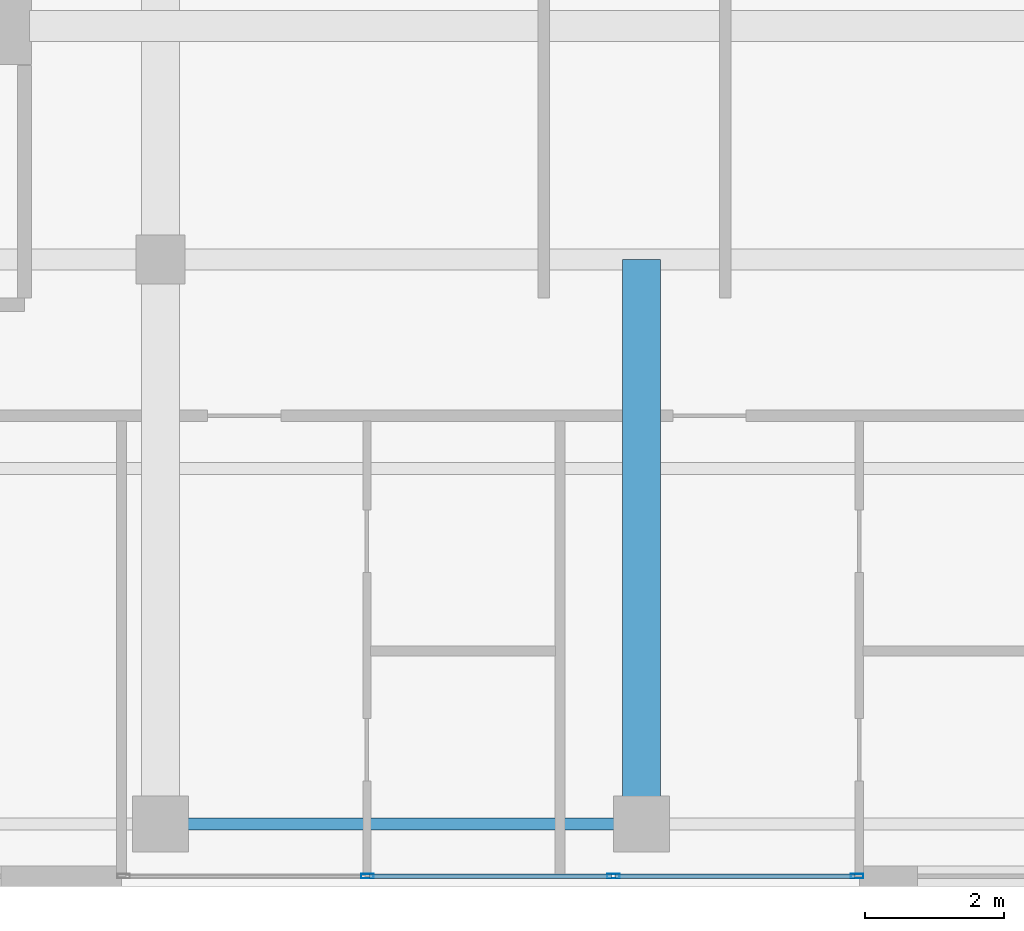
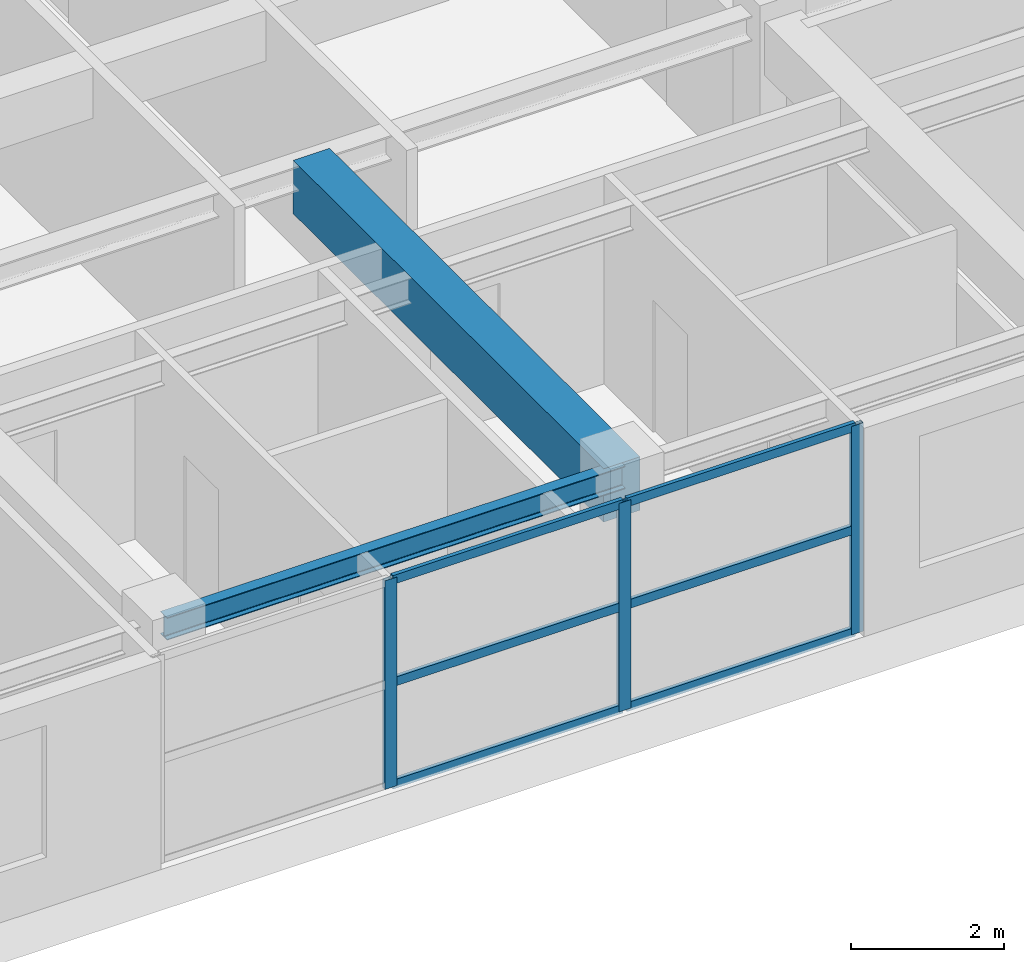
# One storey, part 4 of 21: 9 members, 2 beams, 1 element without a shape of its own.
"""IFC4 building model written with IfcOpenShell, lengths in metres."""

from ifc_helpers import new_model, si_unit, direction, frame, origin, origin_2d, place, context, subcontext, project, spatial, rectangle, hollow_rectangle, i_section, extrude, source, transform, mapped, material, layer, layer_set, material_profile, profile_set, type_object, element, aggregate, save


model = new_model("IFC4")

# Units and contexts
model_context = context("Model", 3, precision=1e-05, world=origin(), true_north=direction((0.0, 1.0)))
body_context = subcontext(model_context, "Body", "Model", "MODEL_VIEW")
ifc_project = project(units=[si_unit("LENGTHUNIT", "METRE"), si_unit("AREAUNIT", "SQUARE_METRE"), si_unit("VOLUMEUNIT", "CUBIC_METRE"), si_unit("PLANEANGLEUNIT", "RADIAN"), si_unit("MASSUNIT", "GRAM", prefix="KILO")], contexts=[model_context])

# Site, building, storey
site_placement = place(None, origin())
site = spatial("IfcSite", under=ifc_project, at=site_placement, CompositionType="ELEMENT")
building_placement = place(site_placement, origin())
building = spatial("IfcBuilding", under=site, at=building_placement, Name="Khoralis Quay Care Tower", CompositionType="ELEMENT")
storey_placement = place(building_placement, frame((0.0, 0.0, 267.300048828125)))
storey = spatial("IfcBuildingStorey", under=building, at=storey_placement, Name="L70", CompositionType="ELEMENT", Elevation=267.300048828125)

# Beams
ifc_material_1 = material(Name="Concrete C50/60", Category="concrete")
ifc_material_profile_1 = material_profile(ifc_material_1, rectangle(XDim=0.550048828125, YDim=0.85009765625, at=origin_2d()), Name="Concrete C50/60")
ifc_profile_set_1 = profile_set([ifc_material_profile_1], Name="Concrete C50/60")
beam_type_1 = type_object("IfcBeamType", Name="BM-RC550X850", PredefinedType="BEAM", material=ifc_profile_set_1)
shared_shape_1 = source(origin(), body_context, "Body", "SweptSolid", [
    extrude(rectangle(XDim=0.550048828125, YDim=0.85009765625, at=origin_2d()), origin(), (0.0, 0.0, 1.0), 8.10009765625),
])
beam_1_placement = place(storey_placement, frame((24.0, 3.89990234375, 2.89501953125), z_axis=(0.0, 1.0, 0.0), x_axis=(-1.0, 0.0, 0.0)))
element("IfcBeam", 1, at=beam_1_placement, inside=storey, type_object=beam_type_1, Name="BM-TGYS-L70-240", PredefinedType="BEAM", context=body_context, shape_type="MappedRepresentation", body=[
    mapped(shared_shape_1, transform((0.0, 0.0, 0.0), scale=1.0)),
])
ifc_material_2 = material(Name="Steel S355", Category="steel")
ifc_material_profile_2 = material_profile(ifc_material_2, i_section(OverallWidth=0.169921875, OverallDepth=0.360107421875, WebThickness=0.008056640625, FlangeThickness=0.0126953125, FilletRadius=0.01806640625, at=origin_2d()), Name="Steel S355")
ifc_profile_set_2 = profile_set([ifc_material_profile_2], Name="Steel S355")
beam_type_2 = type_object("IfcBeamType", Name="BM-IPE360", PredefinedType="SPANDREL", material=ifc_profile_set_2)
shared_shape_2 = source(origin(), body_context, "Body", "SweptSolid", [
    extrude(i_section(OverallWidth=0.169921875, OverallDepth=0.360107421875, WebThickness=0.008056640625, FlangeThickness=0.0126953125, FilletRadius=0.01806640625, at=origin_2d()), origin(), (0.0, 0.0, 1.0), 6.89990234375),
])
beam_2_placement = place(storey_placement, frame((17.10009765625, 3.89990234375, 3.139892578125), z_axis=(1.0, 0.0, 0.0), x_axis=(0.0, 1.0, 0.0)))
element("IfcBeam", 2, at=beam_2_placement, inside=storey, type_object=beam_type_2, Name="BM-TSP-L70-02", PredefinedType="SPANDREL", context=body_context, shape_type="MappedRepresentation", body=[
    mapped(shared_shape_2, transform((0.0, 0.0, 0.0), scale=1.0)),
])

# Curtain wall, members
ifc_material_3 = material(Name="Pale anodised aluminium", Category="aluminium")
ifc_layer = layer(ifc_material_3, 0.159912109375)
ifc_layer_set = layer_set([ifc_layer], Name="Pale anodised aluminium")
curtain_wall_type = type_object("IfcCurtainWallType", Name="CW-SYS-Z3", PredefinedType="NOTDEFINED", material=ifc_layer_set)
curtain_wall_placement = place(storey_placement, origin())
curtain_wall = element("IfcCurtainWall", 3, at=curtain_wall_placement, inside=storey, type_object=curtain_wall_type, Name="L70 Unitised Curtain Wall CW-L70-P1-E0", PredefinedType="NOTDEFINED")
ifc_material_profile_3 = material_profile(ifc_material_3, hollow_rectangle(XDim=0.06494140625, YDim=0.179931640625, WallThickness=0.00390625, at=origin_2d()), Name="Pale anodised aluminium")
ifc_profile_set_3 = profile_set([ifc_material_profile_3], Name="Pale anodised aluminium")
member_type_1 = type_object("IfcMemberType", Name="CW-MUL-180", PredefinedType="MULLION", material=ifc_profile_set_3)
shared_shape_3 = source(origin(), body_context, "Body", "SweptSolid", [
    extrude(hollow_rectangle(XDim=0.06494140625, YDim=0.179931640625, WallThickness=0.00390625, at=origin_2d()), origin(), (0.0, 0.0, 1.0), 3.320068359375),
])
member_1_placement = place(storey_placement, frame((20.068359375, 3.14990234375, 0.0), z_axis=(0.0, 0.0, 1.0), x_axis=(0.0, 1.0, 0.0)))
member_1 = element("IfcMember", 4, at=member_1_placement, type_object=member_type_1, Name="CW3 mullion 2", PredefinedType="MULLION", context=body_context, shape_type="MappedRepresentation", body=[
    mapped(shared_shape_3, transform((0.0, 0.0, 0.0), scale=1.0)),
])
member_2_placement = place(storey_placement, frame((23.5966796875, 3.14990234375, 0.0), z_axis=(0.0, 0.0, 1.0), x_axis=(0.0, 1.0, 0.0)))
member_2 = element("IfcMember", 5, at=member_2_placement, type_object=member_type_1, Name="CW3 mullion 3", PredefinedType="MULLION", context=body_context, shape_type="MappedRepresentation", body=[
    mapped(shared_shape_3, transform((0.0, 0.0, 0.0), scale=1.0)),
])
member_3_placement = place(storey_placement, frame((27.094970703125, 3.14990234375, 0.0), z_axis=(0.0, 0.0, 1.0), x_axis=(0.0, 1.0, 0.0)))
member_3 = element("IfcMember", 6, at=member_3_placement, type_object=member_type_1, Name="CW3 mullion 4", PredefinedType="MULLION", context=body_context, shape_type="MappedRepresentation", body=[
    mapped(shared_shape_3, transform((0.0, 0.0, 0.0), scale=1.0)),
])
ifc_material_profile_4 = material_profile(ifc_material_3, hollow_rectangle(XDim=0.06005859375, YDim=0.139892578125, WallThickness=0.00390625, at=origin_2d()), Name="Pale anodised aluminium")
ifc_profile_set_4 = profile_set([ifc_material_profile_4], Name="Pale anodised aluminium")
member_type_2 = type_object("IfcMemberType", Name="CW-TRN-140", PredefinedType="USERDEFINED", material=ifc_profile_set_4)
shared_shape_4 = source(origin(), body_context, "Body", "SweptSolid", [
    extrude(hollow_rectangle(XDim=0.06005859375, YDim=0.139892578125, WallThickness=0.00390625, at=origin_2d()), origin(), (0.0, 0.0, 1.0), 3.438232421875),
])
member_4_placement = place(storey_placement, frame((23.626708984375, 3.14990234375, 0.030029296875), z_axis=(1.0, 0.0, 0.0), x_axis=(0.0, 1.0, 0.0)))
member_4 = element("IfcMember", 7, at=member_4_placement, type_object=member_type_2, Name="CW3 transom 3.1", ObjectType="TRANSOM", PredefinedType="USERDEFINED", context=body_context, shape_type="MappedRepresentation", body=[
    mapped(shared_shape_4, transform((0.0, 0.0, 0.0), scale=1.0)),
])
member_5_placement = place(storey_placement, frame((23.626708984375, 3.14990234375, 1.659912109375), z_axis=(1.0, 0.0, 0.0), x_axis=(0.0, 1.0, 0.0)))
member_5 = element("IfcMember", 8, at=member_5_placement, type_object=member_type_2, Name="CW3 transom 3.2", ObjectType="TRANSOM", PredefinedType="USERDEFINED", context=body_context, shape_type="MappedRepresentation", body=[
    mapped(shared_shape_4, transform((0.0, 0.0, 0.0), scale=1.0)),
])
member_6_placement = place(storey_placement, frame((23.626708984375, 3.14990234375, 3.2900390625), z_axis=(1.0, 0.0, 0.0), x_axis=(0.0, 1.0, 0.0)))
member_6 = element("IfcMember", 9, at=member_6_placement, type_object=member_type_2, Name="CW3 transom 3.3", ObjectType="TRANSOM", PredefinedType="USERDEFINED", context=body_context, shape_type="MappedRepresentation", body=[
    mapped(shared_shape_4, transform((0.0, 0.0, 0.0), scale=1.0)),
])
shared_shape_5 = source(origin(), body_context, "Body", "SweptSolid", [
    extrude(hollow_rectangle(XDim=0.06005859375, YDim=0.139892578125, WallThickness=0.00390625, at=origin_2d()), origin(), (0.0, 0.0, 1.0), 3.46826171875),
])
member_7_placement = place(storey_placement, frame((20.098388671875, 3.14990234375, 0.030029296875), z_axis=(1.0, 0.0, 0.0), x_axis=(0.0, 1.0, 0.0)))
member_7 = element("IfcMember", 10, at=member_7_placement, type_object=member_type_2, Name="CW3 transom 2.1", ObjectType="TRANSOM", PredefinedType="USERDEFINED", context=body_context, shape_type="MappedRepresentation", body=[
    mapped(shared_shape_5, transform((0.0, 0.0, 0.0), scale=1.0)),
])
member_8_placement = place(storey_placement, frame((20.098388671875, 3.14990234375, 1.659912109375), z_axis=(1.0, 0.0, 0.0), x_axis=(0.0, 1.0, 0.0)))
member_8 = element("IfcMember", 11, at=member_8_placement, type_object=member_type_2, Name="CW3 transom 2.2", ObjectType="TRANSOM", PredefinedType="USERDEFINED", context=body_context, shape_type="MappedRepresentation", body=[
    mapped(shared_shape_5, transform((0.0, 0.0, 0.0), scale=1.0)),
])
member_9_placement = place(storey_placement, frame((20.098388671875, 3.14990234375, 3.2900390625), z_axis=(1.0, 0.0, 0.0), x_axis=(0.0, 1.0, 0.0)))
member_9 = element("IfcMember", 12, at=member_9_placement, type_object=member_type_2, Name="CW3 transom 2.3", ObjectType="TRANSOM", PredefinedType="USERDEFINED", context=body_context, shape_type="MappedRepresentation", body=[
    mapped(shared_shape_5, transform((0.0, 0.0, 0.0), scale=1.0)),
])
aggregate(curtain_wall, [member_1, member_2, member_3, member_7, member_8, member_9, member_4, member_5, member_6])

save(model, "model.ifc")
